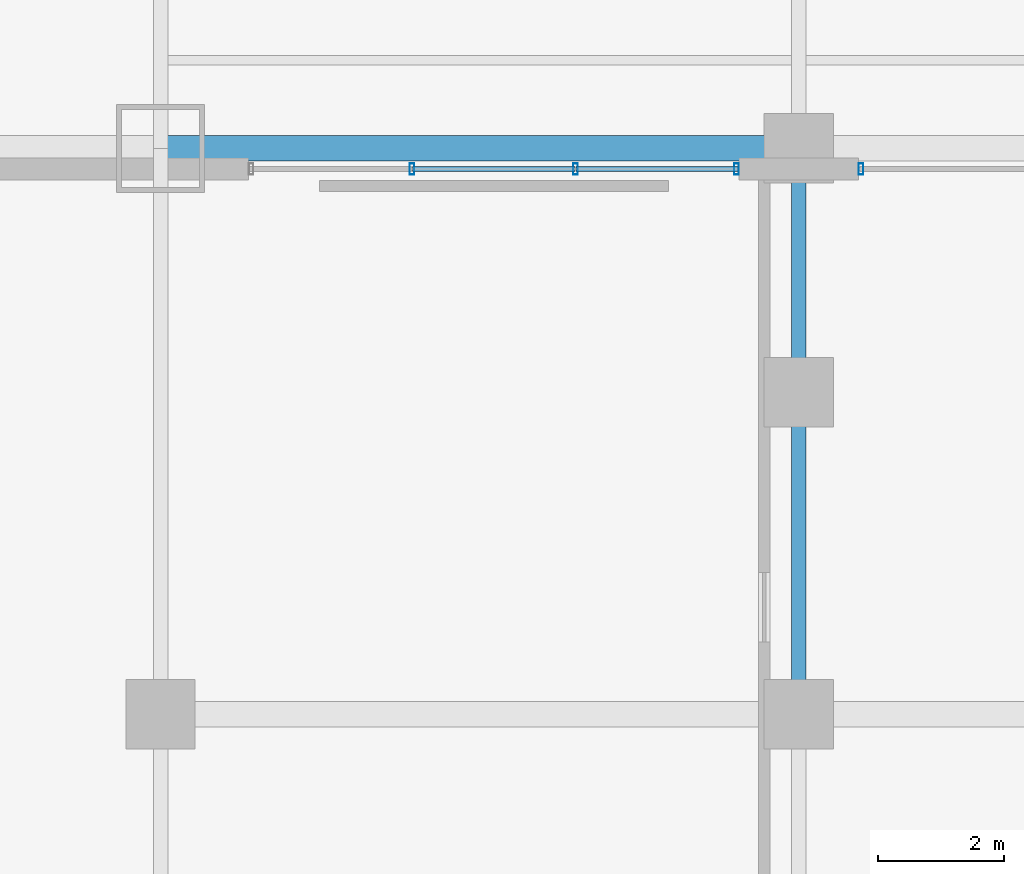
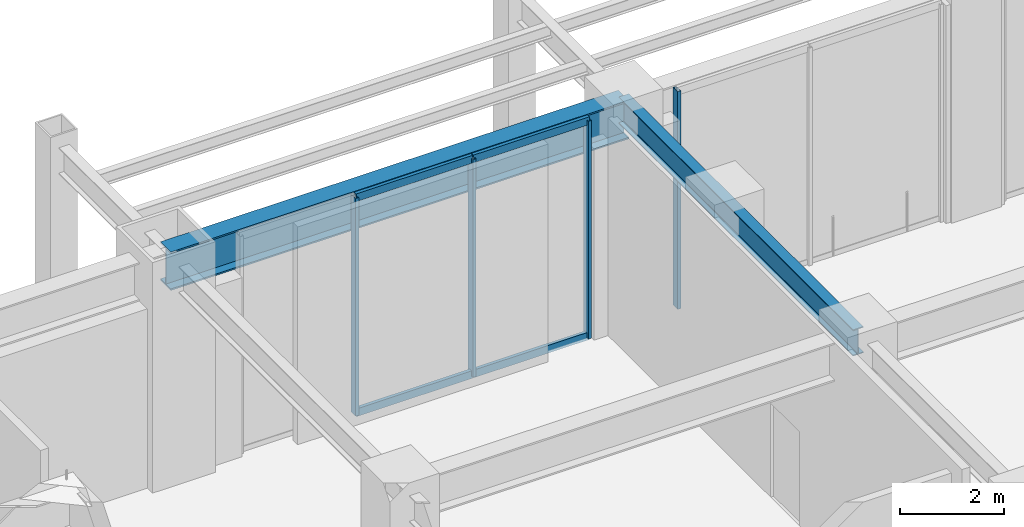
# One storey, part 5 of 23: 8 members, 2 beams, 2 elements without a shape of their own.
"""IFC4 building model written with IfcOpenShell, lengths in metres."""

from ifc_helpers import new_model, si_unit, direction, frame, origin, origin_2d, place, context, subcontext, project, spatial, hollow_rectangle, i_section, extrude, material, material_profile, profile_set, type_object, element, aggregate, save


model = new_model("IFC4")

# Units and contexts
model_context = context("Model", 3, precision=1e-05, world=origin(), true_north=direction((0.0, 1.0)))
body_context = subcontext(model_context, "Body", "Model", "MODEL_VIEW")
ifc_project = project(units=[si_unit("LENGTHUNIT", "METRE"), si_unit("AREAUNIT", "SQUARE_METRE"), si_unit("VOLUMEUNIT", "CUBIC_METRE"), si_unit("PLANEANGLEUNIT", "RADIAN"), si_unit("MASSUNIT", "GRAM", prefix="KILO")], contexts=[model_context])

# Site, building, storey
site_placement = place(None, origin())
site = spatial("IfcSite", under=ifc_project, at=site_placement, CompositionType="ELEMENT")
building_placement = place(site_placement, origin())
building = spatial("IfcBuilding", under=site, at=building_placement, Name="Ventersveld Concourse Tower", CompositionType="ELEMENT")
storey_placement = place(building_placement, origin())
storey = spatial("IfcBuildingStorey", under=building, at=storey_placement, Name="L00", CompositionType="ELEMENT", Elevation=0.0)

# Curtain wall, members
ifc_material_1 = material(Name="Anodised aluminium EN AW-6063-T6", Category="aluminium")
curtain_wall_type = type_object("IfcCurtainWallType", Name="CW-CONC-1", PredefinedType="NOTDEFINED", material=ifc_material_1)
curtain_wall_1_placement = place(storey_placement, origin())
curtain_wall_1 = element("IfcCurtainWall", 1, at=curtain_wall_1_placement, inside=storey, type_object=curtain_wall_type, Name="L00 Station Concourse North Storefront 1", PredefinedType="NOTDEFINED")
ifc_material_profile_1 = material_profile(ifc_material_1, hollow_rectangle(XDim=0.074951171875, YDim=0.179931640625, WallThickness=0.00390625, at=origin_2d()), Name="ALU 180x75x4")
ifc_profile_set_1 = profile_set([ifc_material_profile_1], Name="Anodised aluminium EN AW-6063-T6")
member_type_1 = type_object("IfcMemberType", Name="CWM-180x75", PredefinedType="MULLION", material=ifc_profile_set_1)
member_1_placement = place(storey_placement, frame((7.60009765625, 43.669921875, 0.0), z_axis=(0.0, 0.0, 1.0), x_axis=(1.0, 0.0, 0.0)))
member_1 = element("IfcMember", 2, at=member_1_placement, type_object=member_type_1, Name="CW-L00-N1 Mullion 02", PredefinedType="MULLION", context=body_context, shape_type="SweptSolid", body=[
    extrude(hollow_rectangle(XDim=0.074951171875, YDim=0.179931640625, WallThickness=0.00390625, at=origin_2d()), origin(), (0.0, 0.0, 1.0), 5.10009765625),
])
member_2_placement = place(storey_placement, frame((10.199951171875, 43.669921875, 0.0), z_axis=(0.0, 0.0, 1.0), x_axis=(1.0, 0.0, 0.0)))
member_2 = element("IfcMember", 3, at=member_2_placement, type_object=member_type_1, Name="CW-L00-N1 Mullion 03", PredefinedType="MULLION", context=body_context, shape_type="SweptSolid", body=[
    extrude(hollow_rectangle(XDim=0.074951171875, YDim=0.179931640625, WallThickness=0.00390625, at=origin_2d()), origin(), (0.0, 0.0, 1.0), 5.10009765625),
])
member_3_placement = place(storey_placement, frame((12.760009765625, 43.669921875, 0.0), z_axis=(0.0, 0.0, 1.0), x_axis=(1.0, 0.0, 0.0)))
member_3 = element("IfcMember", 4, at=member_3_placement, type_object=member_type_1, Name="CW-L00-N1 Mullion 04", PredefinedType="MULLION", context=body_context, shape_type="SweptSolid", body=[
    extrude(hollow_rectangle(XDim=0.074951171875, YDim=0.179931640625, WallThickness=0.00390625, at=origin_2d()), origin(), (0.0, 0.0, 1.0), 5.10009765625),
])

# Curtain wall, member
curtain_wall_2_placement = place(storey_placement, origin())
curtain_wall_2 = element("IfcCurtainWall", 5, at=curtain_wall_2_placement, inside=storey, type_object=curtain_wall_type, Name="L00 Station Concourse North Storefront 2A", PredefinedType="NOTDEFINED")
member_4_placement = place(storey_placement, frame((14.739990234375, 43.669921875, 0.0), z_axis=(0.0, 0.0, 1.0), x_axis=(1.0, 0.0, 0.0)))
member_4 = element("IfcMember", 6, at=member_4_placement, type_object=member_type_1, Name="CW-L00-N2A Mullion 01", PredefinedType="MULLION", context=body_context, shape_type="SweptSolid", body=[
    extrude(hollow_rectangle(XDim=0.074951171875, YDim=0.179931640625, WallThickness=0.00390625, at=origin_2d()), origin(), (0.0, 0.0, 1.0), 5.10009765625),
])
aggregate(curtain_wall_2, [member_4])

# Member
ifc_material_profile_2 = material_profile(ifc_material_1, hollow_rectangle(XDim=0.074951171875, YDim=0.179931640625, WallThickness=0.00390625, at=origin_2d()), Name="ALU 180x75x4")
ifc_profile_set_2 = profile_set([ifc_material_profile_2], Name="Anodised aluminium EN AW-6063-T6")
member_type_2 = type_object("IfcMemberType", Name="CWT-180x75", PredefinedType="USERDEFINED", material=ifc_profile_set_2)
member_5_placement = place(storey_placement, frame((7.610107421875, 43.669921875, 0.030029296875), z_axis=(1.0, 0.0, 0.0), x_axis=(0.0, 1.0, 0.0)))
member_5 = element("IfcMember", 7, at=member_5_placement, type_object=member_type_2, Name="CW-L00-N1 Transom 1-02", ObjectType="TRANSOM", PredefinedType="USERDEFINED", context=body_context, shape_type="SweptSolid", body=[
    extrude(hollow_rectangle(XDim=0.074951171875, YDim=0.179931640625, WallThickness=0.00390625, at=origin_2d()), origin(), (0.0, 0.0, 1.0), 2.579833984375),
])

member_6_placement = place(storey_placement, frame((10.2099609375, 43.669921875, 0.030029296875), z_axis=(1.0, 0.0, 0.0), x_axis=(0.0, 1.0, 0.0)))
member_6 = element("IfcMember", 8, at=member_6_placement, type_object=member_type_2, Name="CW-L00-N1 Transom 1-03", ObjectType="TRANSOM", PredefinedType="USERDEFINED", context=body_context, shape_type="SweptSolid", body=[
    extrude(hollow_rectangle(XDim=0.074951171875, YDim=0.179931640625, WallThickness=0.00390625, at=origin_2d()), origin(), (0.0, 0.0, 1.0), 2.570068359375),
])

member_7_placement = place(storey_placement, frame((7.610107421875, 43.669921875, 5.070068359375), z_axis=(1.0, 0.0, 0.0), x_axis=(0.0, 1.0, 0.0)))
member_7 = element("IfcMember", 9, at=member_7_placement, type_object=member_type_2, Name="CW-L00-N1 Transom 2-02", ObjectType="TRANSOM", PredefinedType="USERDEFINED", context=body_context, shape_type="SweptSolid", body=[
    extrude(hollow_rectangle(XDim=0.074951171875, YDim=0.179931640625, WallThickness=0.00390625, at=origin_2d()), origin(), (0.0, 0.0, 1.0), 2.579833984375),
])

member_8_placement = place(storey_placement, frame((10.2099609375, 43.669921875, 5.070068359375), z_axis=(1.0, 0.0, 0.0), x_axis=(0.0, 1.0, 0.0)))
member_8 = element("IfcMember", 10, at=member_8_placement, type_object=member_type_2, Name="CW-L00-N1 Transom 2-03", ObjectType="TRANSOM", PredefinedType="USERDEFINED", context=body_context, shape_type="SweptSolid", body=[
    extrude(hollow_rectangle(XDim=0.074951171875, YDim=0.179931640625, WallThickness=0.00390625, at=origin_2d()), origin(), (0.0, 0.0, 1.0), 2.570068359375),
])

aggregate(curtain_wall_1, [member_1, member_2, member_3, member_5, member_6, member_7, member_8])

# Beams
ifc_material_2 = material(Name="Structural steel S355J2", Category="steel")
ifc_material_profile_3 = material_profile(ifc_material_2, i_section(OverallWidth=0.39990234375, OverallDepth=0.89990234375, WebThickness=0.02197265625, FlangeThickness=0.035888671875, at=origin_2d()), Name="PG 900x400x36")
ifc_profile_set_3 = profile_set([ifc_material_profile_3], Name="Structural steel S355J2")
beam_type_1 = type_object("IfcBeamType", Name="GRD-PG900", PredefinedType="USERDEFINED", material=ifc_profile_set_3)
beam_1_placement = place(storey_placement, frame((3.60009765625, 44.0, 4.64990234375), z_axis=(1.0, 0.0, 0.0), x_axis=(0.0, 1.0, 0.0)))
element("IfcBeam", 11, at=beam_1_placement, inside=storey, type_object=beam_type_1, Name="L00 Podium Primary Girder Y=44.0m", ObjectType="GIRDER", PredefinedType="USERDEFINED", context=body_context, shape_type="SweptSolid", body=[
    extrude(i_section(OverallWidth=0.39990234375, OverallDepth=0.89990234375, WebThickness=0.02197265625, FlangeThickness=0.035888671875, at=origin_2d()), origin(), (0.0, 0.0, 1.0), 10.14990234375),
])
ifc_material_profile_4 = material_profile(ifc_material_2, i_section(OverallWidth=0.230224609375, OverallDepth=0.6171875, WebThickness=0.01318359375, FlangeThickness=0.022216796875, FilletRadius=0.0126953125, at=origin_2d()), Name="UB 610x229x140")
ifc_profile_set_4 = profile_set([ifc_material_profile_4], Name="Structural steel S355J2")
beam_type_2 = type_object("IfcBeamType", Name="GRD-UB610", PredefinedType="USERDEFINED", material=ifc_profile_set_4)
beam_2_placement = place(storey_placement, frame((13.75, 35.0, 4.79150390625), z_axis=(0.0, 1.0, 0.0), x_axis=(-1.0, 0.0, 0.0)))
element("IfcBeam", 12, at=beam_2_placement, inside=storey, type_object=beam_type_2, Name="L00 Podium N-S Girder X=13.75m", ObjectType="GIRDER", PredefinedType="USERDEFINED", context=body_context, shape_type="SweptSolid", body=[
    extrude(i_section(OverallWidth=0.230224609375, OverallDepth=0.6171875, WebThickness=0.01318359375, FlangeThickness=0.022216796875, FilletRadius=0.0126953125, at=origin_2d()), origin(), (0.0, 0.0, 1.0), 9.0),
])

save(model, "model.ifc")
